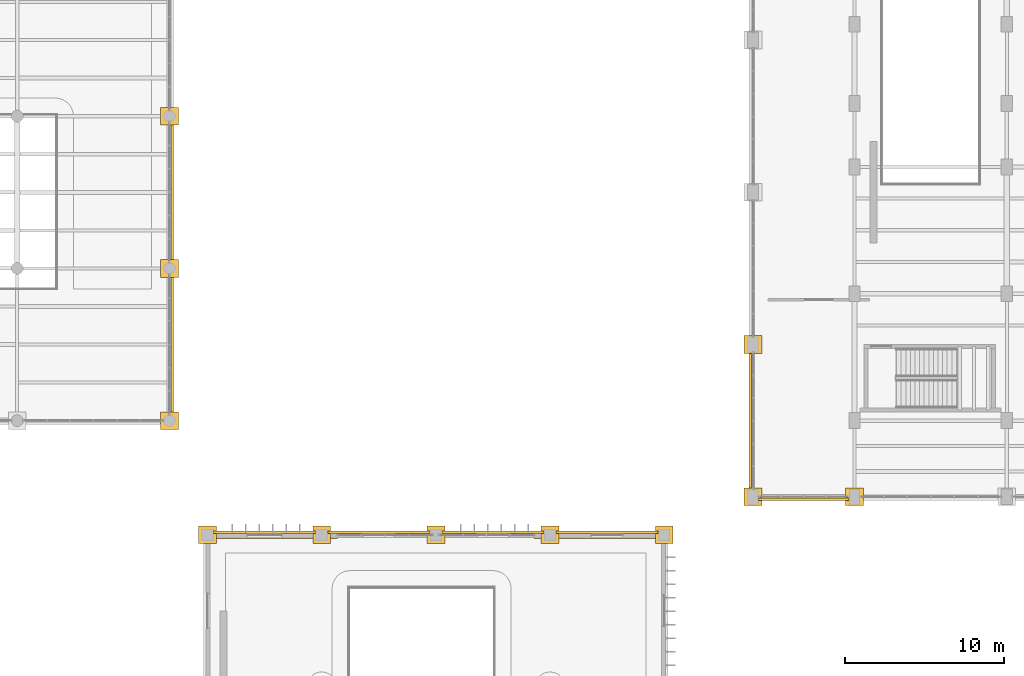
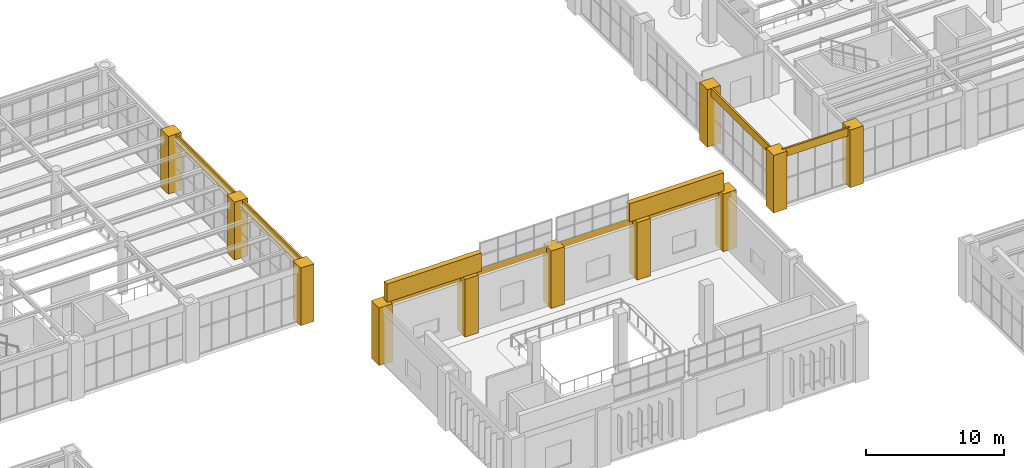
# One storey, part 162 of 174: 21 coverings.
"""IFC4 building model written with IfcOpenShell, lengths in metres."""

from ifc_helpers import new_model, si_unit, direction, frame, origin, place, context, subcontext, project, spatial, polyline, outline, extrude, material, layer, layer_set, type_object, element, save


model = new_model("IFC4")

# Units and contexts
model_context = context("Model", 3, precision=1e-05, world=origin(), true_north=direction((0.0, 1.0)))
body_context = subcontext(model_context, "Body", "Model", "MODEL_VIEW")
ifc_project = project(units=[si_unit("LENGTHUNIT", "METRE"), si_unit("AREAUNIT", "SQUARE_METRE"), si_unit("VOLUMEUNIT", "CUBIC_METRE"), si_unit("PLANEANGLEUNIT", "RADIAN"), si_unit("MASSUNIT", "GRAM", prefix="KILO")], contexts=[model_context])

# Site, building, storey
site_placement = place(None, origin())
site = spatial("IfcSite", under=ifc_project, at=site_placement, CompositionType="ELEMENT")
building_placement = place(site_placement, origin())
building = spatial("IfcBuilding", under=site, at=building_placement, Name="Mavantir Sound Aquarium", CompositionType="ELEMENT")
storey_placement = place(building_placement, frame((0.0, 0.0, 5.39990234375)))
storey = spatial("IfcBuildingStorey", under=building, at=storey_placement, Name="L01", CompositionType="ELEMENT", Elevation=5.39990234375)

# Coverings
ifc_material = material(Name="Honed Coral-Limestone & Glazed Terracotta Rainscreen Cladding", Category="masonry")
ifc_layer = layer(ifc_material, 0.06005859375, Name="Honed Coral-Limestone & Glazed Terracotta Rainscreen Cladding")
ifc_layer_set = layer_set([ifc_layer], Name="Honed Coral-Limestone & Glazed Terracotta Rainscreen Cladding")
covering_type = type_object("IfcCoveringType", Name="COV-CLAD-TC", PredefinedType="CLADDING", material=ifc_layer_set)
covering_1_placement = place(storey_placement, frame((0.0, 0.0, 4.279052734375)))
element("IfcCovering", 1, at=covering_1_placement, inside=storey, type_object=covering_type, Name="L01 Postmodern coral-limestone spandrel frieze 182", PredefinedType="CLADDING", context=body_context, shape_type="SweptSolid", body=[
    extrude(outline(polyline([(64.889892578125, 41.18310546875), (64.889892578125, 50.01708984375), (65.0400390625, 50.01708984375), (65.0400390625, 41.18310546875), (64.889892578125, 41.18310546875)])), origin(), (0.0, 0.0, 1.0), 0.821044921875),
])
covering_2_placement = place(storey_placement, frame((0.0, 0.0, 4.279052734375)))
element("IfcCovering", 2, at=covering_2_placement, inside=storey, type_object=covering_type, Name="L01 Postmodern coral-limestone spandrel frieze 183", PredefinedType="CLADDING", context=body_context, shape_type="SweptSolid", body=[
    extrude(outline(polyline([(64.889892578125, 50.782958984375), (64.889892578125, 59.616943359375), (65.0400390625, 59.616943359375), (65.0400390625, 50.782958984375), (64.889892578125, 50.782958984375)])), origin(), (0.0, 0.0, 1.0), 0.821044921875),
])
covering_3_placement = place(storey_placement, frame((0.0, 0.0, 4.39599609375)))
element("IfcCovering", 3, at=covering_3_placement, inside=storey, type_object=covering_type, Name="L01 Postmodern coral-limestone spandrel frieze 223", PredefinedType="CLADDING", context=body_context, shape_type="SweptSolid", body=[
    extrude(outline(polyline([(101.510009765625, 45.092041015625), (101.510009765625, 36.508056640625), (101.360107421875, 36.508056640625), (101.360107421875, 45.092041015625), (101.510009765625, 45.092041015625)])), origin(), (0.0, 0.0, 1.0), 0.7041015625),
])
covering_4_placement = place(storey_placement, frame((0.0, 0.0, 4.38818359375)))
element("IfcCovering", 4, at=covering_4_placement, inside=storey, type_object=covering_type, Name="L01 Postmodern coral-limestone spandrel frieze 224", PredefinedType="CLADDING", context=body_context, shape_type="SweptSolid", body=[
    extrude(outline(polyline([(101.9580078125, 35.909912109375), (107.64208984375, 35.909912109375), (107.64208984375, 35.760009765625), (101.9580078125, 35.760009765625), (101.9580078125, 35.909912109375)])), origin(), (0.0, 0.0, 1.0), 0.7119140625),
])
covering_5_placement = place(storey_placement, frame((0.0, 0.0, 4.5556640625)))
element("IfcCovering", 5, at=covering_5_placement, inside=storey, type_object=covering_type, Name="L01 Postmodern coral-limestone spandrel frieze 275", PredefinedType="CLADDING", context=body_context, shape_type="SweptSolid", body=[
    extrude(outline(polyline([(95.616943359375, 33.68994140625), (89.18310546875, 33.68994140625), (89.18310546875, 33.840087890625), (95.616943359375, 33.840087890625), (95.616943359375, 33.68994140625)])), origin(), (0.0, 0.0, 1.0), 0.54443359375),
])
covering_6_placement = place(storey_placement, frame((0.0, 0.0, 4.5556640625)))
element("IfcCovering", 6, at=covering_6_placement, inside=storey, type_object=covering_type, Name="L01 Postmodern coral-limestone spandrel frieze 276", PredefinedType="CLADDING", context=body_context, shape_type="SweptSolid", body=[
    extrude(outline(polyline([(88.4169921875, 33.68994140625), (81.98291015625, 33.68994140625), (81.98291015625, 33.840087890625), (88.4169921875, 33.840087890625), (88.4169921875, 33.68994140625)])), origin(), (0.0, 0.0, 1.0), 0.54443359375),
])
covering_7_placement = place(storey_placement, frame((0.0, 0.0, 4.5556640625)))
element("IfcCovering", 7, at=covering_7_placement, inside=storey, type_object=covering_type, Name="L01 Postmodern coral-limestone spandrel frieze 277", PredefinedType="CLADDING", context=body_context, shape_type="SweptSolid", body=[
    extrude(outline(polyline([(81.217041015625, 33.68994140625), (74.782958984375, 33.68994140625), (74.782958984375, 33.840087890625), (81.217041015625, 33.840087890625), (81.217041015625, 33.68994140625)])), origin(), (0.0, 0.0, 1.0), 0.54443359375),
])
covering_8_placement = place(storey_placement, frame((0.0, 0.0, 4.5556640625)))
element("IfcCovering", 8, at=covering_8_placement, inside=storey, type_object=covering_type, Name="L01 Postmodern coral-limestone spandrel frieze 278", PredefinedType="CLADDING", context=body_context, shape_type="SweptSolid", body=[
    extrude(outline(polyline([(74.01708984375, 33.68994140625), (67.5830078125, 33.68994140625), (67.5830078125, 33.840087890625), (74.01708984375, 33.840087890625), (74.01708984375, 33.68994140625)])), origin(), (0.0, 0.0, 1.0), 0.54443359375),
])
covering_9_placement = place(storey_placement, origin())
element("IfcCovering", 9, at=covering_9_placement, inside=storey, type_object=covering_type, Name="L01 Postmodern coral-limestone pilaster casing 152", PredefinedType="CLADDING", context=body_context, shape_type="SweptSolid", body=[
    extrude(outline(polyline([(64.239990234375, 40.239990234375), (65.360107421875, 40.239990234375), (65.360107421875, 41.360107421875), (64.239990234375, 41.360107421875), (64.239990234375, 40.239990234375)])), origin(), (0.0, 0.0, 1.0), 5.10009765625),
])
covering_10_placement = place(storey_placement, origin())
element("IfcCovering", 10, at=covering_10_placement, inside=storey, type_object=covering_type, Name="L01 Postmodern coral-limestone pilaster casing 154", PredefinedType="CLADDING", context=body_context, shape_type="SweptSolid", body=[
    extrude(outline(polyline([(64.239990234375, 49.840087890625), (65.360107421875, 49.840087890625), (65.360107421875, 50.9599609375), (64.239990234375, 50.9599609375), (64.239990234375, 49.840087890625)])), origin(), (0.0, 0.0, 1.0), 5.10009765625),
])
covering_11_placement = place(storey_placement, origin())
element("IfcCovering", 11, at=covering_11_placement, inside=storey, type_object=covering_type, Name="L01 Postmodern coral-limestone pilaster casing 156", PredefinedType="CLADDING", context=body_context, shape_type="SweptSolid", body=[
    extrude(outline(polyline([(64.239990234375, 59.43994140625), (65.360107421875, 59.43994140625), (65.360107421875, 60.56005859375), (64.239990234375, 60.56005859375), (64.239990234375, 59.43994140625)])), origin(), (0.0, 0.0, 1.0), 5.10009765625),
])
covering_12_placement = place(storey_placement, origin())
element("IfcCovering", 12, at=covering_12_placement, inside=storey, type_object=covering_type, Name="L01 Postmodern coral-limestone pilaster casing 212", PredefinedType="CLADDING", context=body_context, shape_type="SweptSolid", body=[
    extrude(outline(polyline([(101.0400390625, 35.43994140625), (102.159912109375, 35.43994140625), (102.159912109375, 36.56005859375), (101.0400390625, 36.56005859375), (101.0400390625, 35.43994140625)])), origin(), (0.0, 0.0, 1.0), 5.10009765625),
])
covering_13_placement = place(storey_placement, origin())
element("IfcCovering", 13, at=covering_13_placement, inside=storey, type_object=covering_type, Name="L01 Postmodern coral-limestone pilaster casing 214", PredefinedType="CLADDING", context=body_context, shape_type="SweptSolid", body=[
    extrude(outline(polyline([(101.0400390625, 45.0400390625), (102.159912109375, 45.0400390625), (102.159912109375, 46.159912109375), (101.0400390625, 46.159912109375), (101.0400390625, 45.0400390625)])), origin(), (0.0, 0.0, 1.0), 5.10009765625),
])
covering_14_placement = place(storey_placement, origin())
element("IfcCovering", 14, at=covering_14_placement, inside=storey, type_object=covering_type, Name="L01 Postmodern coral-limestone pilaster casing 228", PredefinedType="CLADDING", context=body_context, shape_type="SweptSolid", body=[
    extrude(outline(polyline([(107.43994140625, 35.43994140625), (108.56005859375, 35.43994140625), (108.56005859375, 36.56005859375), (107.43994140625, 36.56005859375), (107.43994140625, 35.43994140625)])), origin(), (0.0, 0.0, 1.0), 5.10009765625),
])
covering_15_placement = place(storey_placement, origin())
element("IfcCovering", 15, at=covering_15_placement, inside=storey, type_object=covering_type, Name="L01 Postmodern coral-limestone pilaster casing 472", PredefinedType="CLADDING", context=body_context, shape_type="SweptSolid", body=[
    extrude(outline(polyline([(66.639892578125, 33.0400390625), (67.760009765625, 33.0400390625), (67.760009765625, 34.159912109375), (66.639892578125, 34.159912109375), (66.639892578125, 33.0400390625)])), origin(), (0.0, 0.0, 1.0), 5.10009765625),
])
covering_16_placement = place(storey_placement, origin())
element("IfcCovering", 16, at=covering_16_placement, inside=storey, type_object=covering_type, Name="L01 Postmodern coral-limestone pilaster casing 476", PredefinedType="CLADDING", context=body_context, shape_type="SweptSolid", body=[
    extrude(outline(polyline([(73.840087890625, 33.0400390625), (74.9599609375, 33.0400390625), (74.9599609375, 34.159912109375), (73.840087890625, 34.159912109375), (73.840087890625, 33.0400390625)])), origin(), (0.0, 0.0, 1.0), 5.10009765625),
])
covering_17_placement = place(storey_placement, origin())
element("IfcCovering", 17, at=covering_17_placement, inside=storey, type_object=covering_type, Name="L01 Postmodern coral-limestone pilaster casing 480", PredefinedType="CLADDING", context=body_context, shape_type="SweptSolid", body=[
    extrude(outline(polyline([(81.0400390625, 33.0400390625), (82.159912109375, 33.0400390625), (82.159912109375, 34.159912109375), (81.0400390625, 34.159912109375), (81.0400390625, 33.0400390625)])), origin(), (0.0, 0.0, 1.0), 5.10009765625),
])
covering_18_placement = place(storey_placement, origin())
element("IfcCovering", 18, at=covering_18_placement, inside=storey, type_object=covering_type, Name="L01 Postmodern coral-limestone pilaster casing 484", PredefinedType="CLADDING", context=body_context, shape_type="SweptSolid", body=[
    extrude(outline(polyline([(88.239990234375, 33.0400390625), (89.360107421875, 33.0400390625), (89.360107421875, 34.159912109375), (88.239990234375, 34.159912109375), (88.239990234375, 33.0400390625)])), origin(), (0.0, 0.0, 1.0), 5.10009765625),
])
covering_19_placement = place(storey_placement, origin())
element("IfcCovering", 19, at=covering_19_placement, inside=storey, type_object=covering_type, Name="L01 Postmodern coral-limestone pilaster casing 490", PredefinedType="CLADDING", context=body_context, shape_type="SweptSolid", body=[
    extrude(outline(polyline([(95.43994140625, 33.0400390625), (96.56005859375, 33.0400390625), (96.56005859375, 34.159912109375), (95.43994140625, 34.159912109375), (95.43994140625, 33.0400390625)])), origin(), (0.0, 0.0, 1.0), 5.10009765625),
])
covering_20_placement = place(storey_placement, frame((0.0, 0.0, 5.10009765625)))
element("IfcCovering", 20, at=covering_20_placement, inside=storey, type_object=covering_type, Name="V7 N stepped pediment shoulder L", PredefinedType="CLADDING", context=body_context, shape_type="SweptSolid", body=[
    extrude(outline(polyline([(67.5, 33.3798828125), (75.39990234375, 33.3798828125), (75.39990234375, 33.820068359375), (67.5, 33.820068359375), (67.5, 33.3798828125)])), origin(), (0.0, 0.0, 1.0), 1.60009765625),
])
covering_21_placement = place(storey_placement, frame((0.0, 0.0, 5.10009765625)))
element("IfcCovering", 21, at=covering_21_placement, inside=storey, type_object=covering_type, Name="V7 N stepped pediment shoulder R", PredefinedType="CLADDING", context=body_context, shape_type="SweptSolid", body=[
    extrude(outline(polyline([(87.800048828125, 33.3798828125), (95.699951171875, 33.3798828125), (95.699951171875, 33.820068359375), (87.800048828125, 33.820068359375), (87.800048828125, 33.3798828125)])), origin(), (0.0, 0.0, 1.0), 1.60009765625),
])

save(model, "model.ifc")
